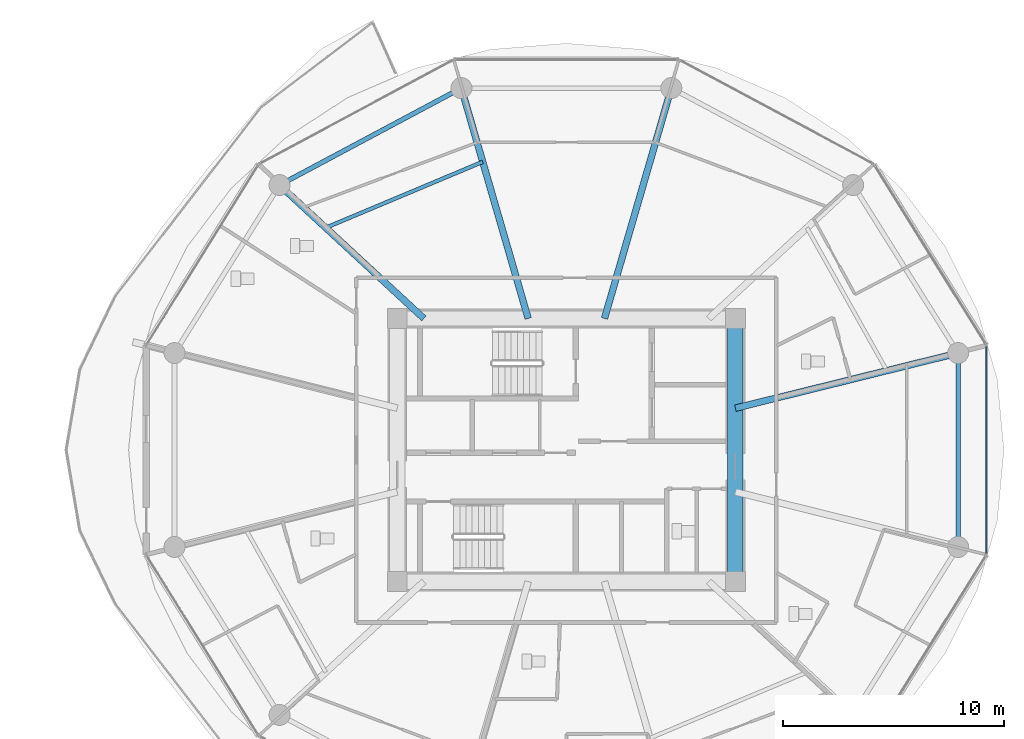
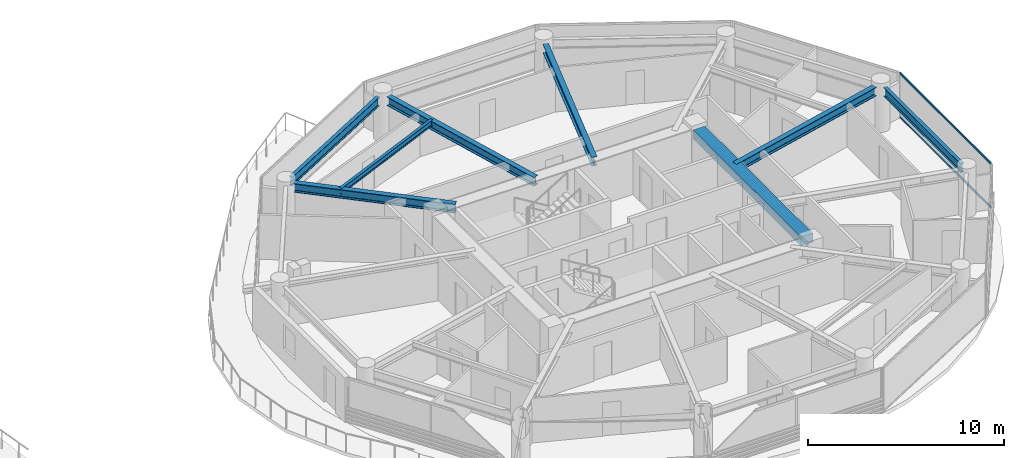
# One storey, part 12 of 26: 8 beams, 2 members, 1 element without a shape of its own.
"""IFC4 building model written with IfcOpenShell, lengths in metres."""

from ifc_helpers import new_model, si_unit, direction, frame, origin, origin_2d, place, context, subcontext, project, spatial, rectangle, i_section, extrude, source, transform, mapped, material, layer, layer_set, material_profile, profile_set, type_object, type_shapes, element, aggregate, save


model = new_model("IFC4")

# Units and contexts
model_context = context("Model", 3, precision=1e-05, world=origin(), true_north=direction((0.0, 1.0)))
body_context = subcontext(model_context, "Body", "Model", "MODEL_VIEW")
ifc_project = project(units=[si_unit("LENGTHUNIT", "METRE"), si_unit("AREAUNIT", "SQUARE_METRE"), si_unit("VOLUMEUNIT", "CUBIC_METRE"), si_unit("PLANEANGLEUNIT", "RADIAN"), si_unit("MASSUNIT", "GRAM", prefix="KILO")], contexts=[model_context])

# Site, building, storey
site_placement = place(None, origin())
site = spatial("IfcSite", under=ifc_project, at=site_placement, CompositionType="ELEMENT")
building_placement = place(site_placement, origin())
building = spatial("IfcBuilding", under=site, at=building_placement, Name="Norrkilde Senior Care Towers", CompositionType="ELEMENT")
storey_placement = place(building_placement, frame((0.0, 0.0, 67.35009765625)))
storey = spatial("IfcBuildingStorey", under=building, at=storey_placement, Name="L20", CompositionType="ELEMENT", Elevation=67.35009765625)

# Beams
ifc_material_1 = material(Name="Concrete C60/75", Category="concrete")
ifc_material_profile_1 = material_profile(ifc_material_1, rectangle(XDim=0.699951171875, YDim=0.550048828125, at=origin_2d()), Name="RC BM 700x550")
ifc_profile_set_1 = profile_set([ifc_material_profile_1], Name="Concrete C60/75")
beam_type_1 = type_object("IfcBeamType", Name="Core Portal Coupling Beam 700x550", PredefinedType="USERDEFINED", material=ifc_profile_set_1)
shared_shape_1 = source(origin(), body_context, "Body", "SweptSolid", [
    extrude(rectangle(XDim=0.699951171875, YDim=0.550048828125, at=origin_2d()), origin(), (0.0, 0.0, 1.0), 11.0400390625),
])
type_shapes(beam_type_1, [shared_shape_1])
beam_1_placement = place(storey_placement, frame((35.64990234375, -5.52001953125, 2.514892578125), z_axis=(0.0, 1.0, 0.0), x_axis=(-1.0, 0.0, 0.0)))
element("IfcBeam", 1, at=beam_1_placement, inside=storey, type_object=beam_type_1, Name="L20 Core E E Coupling Girder", ObjectType="GIRDER", PredefinedType="USERDEFINED", context=body_context, shape_type="MappedRepresentation", body=[
    mapped(shared_shape_1, transform((0.0, 0.0, 0.0), x_axis=(1.0, 0.0, 0.0), y_axis=(0.0, 1.0, 0.0), z_axis=(0.0, 0.0, 1.0), scale=1.0)),
])
ifc_material_2 = material(Name="Steel S355", Category="steel")
ifc_material_profile_2 = material_profile(ifc_material_2, i_section(OverallWidth=0.300048828125, OverallDepth=0.550048828125, WebThickness=0.014892578125, FlangeThickness=0.029052734375, FilletRadius=0.027099609375, at=origin_2d()), Name="HEB 550")
ifc_profile_set_2 = profile_set([ifc_material_profile_2], Name="Steel S355")
beam_type_2 = type_object("IfcBeamType", Name="Radial Floor Beam Z1 HEB550", PredefinedType="BEAM", material=ifc_profile_set_2)
shared_shape_2 = source(origin(), body_context, "Body", "SweptSolid", [
    extrude(i_section(OverallWidth=0.300048828125, OverallDepth=0.550048828125, WebThickness=0.014892578125, FlangeThickness=0.029052734375, FilletRadius=0.027099609375, at=origin_2d()), origin(), (0.0, 0.0, 1.0), 9.94384765625),
])
beam_2_placement = place(storey_placement, frame((35.64990234375, 1.893310546875, 2.514892578125), z_axis=(0.970707425182, 0.240264634718, 0.0), x_axis=(-0.240264634718, 0.970707425182, 0.0)))
element("IfcBeam", 2, at=beam_2_placement, inside=storey, type_object=beam_type_2, Name="L20 Drum E Radial Floor Beam 01", PredefinedType="BEAM", context=body_context, shape_type="MappedRepresentation", body=[
    mapped(shared_shape_2, transform((0.0, 0.0, 0.0), x_axis=(1.0, 0.0, 0.0), y_axis=(0.0, 1.0, 0.0), z_axis=(0.0, 0.0, 1.0), scale=1.0)),
])
ifc_material_profile_3 = material_profile(ifc_material_2, i_section(OverallWidth=0.2099609375, OverallDepth=0.550048828125, WebThickness=0.010986328125, FlangeThickness=0.01708984375, FilletRadius=0.02392578125, at=origin_2d()), Name="IPE 550")
ifc_profile_set_3 = profile_set([ifc_material_profile_3], Name="Steel S355")
beam_type_3 = type_object("IfcBeamType", Name="Perimeter Ring Spandrel Z1 IPE550", PredefinedType="SPANDREL", material=ifc_profile_set_3)
shared_shape_3 = source(origin(), body_context, "Body", "SweptSolid", [
    extrude(i_section(OverallWidth=0.2099609375, OverallDepth=0.550048828125, WebThickness=0.010986328125, FlangeThickness=0.01708984375, FilletRadius=0.02392578125, at=origin_2d()), origin(), (0.0, 0.0, 1.0), 8.452880859375),
])
beam_3_placement = place(storey_placement, frame((22.866943359375, 16.167724609375, 2.514892578125), z_axis=(-0.882368931134, -0.470558252898, 0.0), x_axis=(0.470558252898, -0.882368931134, 0.0)))
element("IfcBeam", 3, at=beam_3_placement, inside=storey, type_object=beam_type_3, Name="L20 Drum E Perimeter Spandrel 04", PredefinedType="SPANDREL", context=body_context, shape_type="MappedRepresentation", body=[
    mapped(shared_shape_3, transform((0.0, 0.0, 0.0), x_axis=(1.0, 0.0, 0.0), y_axis=(0.0, 1.0, 0.0), z_axis=(0.0, 0.0, 1.0), scale=1.0)),
])
shared_shape_4 = source(origin(), body_context, "Body", "SweptSolid", [
    extrude(i_section(OverallWidth=0.300048828125, OverallDepth=0.550048828125, WebThickness=0.014892578125, FlangeThickness=0.029052734375, FilletRadius=0.027099609375, at=origin_2d()), origin(), (0.0, 0.0, 1.0), 8.459716796875),
])
beam_4_placement = place(storey_placement, frame((21.55859375, 5.949951171875, 2.514892578125), z_axis=(-0.734573269108, 0.678529374686, 0.0), x_axis=(-0.678529374686, -0.734573269108, 0.0)))
element("IfcBeam", 4, at=beam_4_placement, inside=storey, type_object=beam_type_2, Name="L20 Drum E Radial Floor Beam 05", PredefinedType="BEAM", context=body_context, shape_type="MappedRepresentation", body=[
    mapped(shared_shape_4, transform((0.0, 0.0, 0.0), x_axis=(1.0, 0.0, 0.0), y_axis=(0.0, 1.0, 0.0), z_axis=(0.0, 0.0, 1.0), scale=1.0)),
])
shared_shape_5 = source(origin(), body_context, "Body", "SweptSolid", [
    extrude(i_section(OverallWidth=0.300048828125, OverallDepth=0.550048828125, WebThickness=0.014892578125, FlangeThickness=0.029052734375, FilletRadius=0.027099609375, at=origin_2d()), origin(), (0.0, 0.0, 1.0), 10.4169921875),
])
type_shapes(beam_type_2, [shared_shape_2, shared_shape_4, shared_shape_5])
for number, where, z_axis, x_axis, name in (
    (5, (29.72607421875, 5.949951171875, 2.514892578125), (0.278591250785, 0.960409764104, 0.0), (-0.960409764104, 0.278591250785, 0.0), "L20 Drum E Radial Floor Beam 03"),
    (6, (26.27392578125, 5.949951171875, 2.514892578125), (-0.278591250785, 0.960409764104, 0.0), (-0.960409764104, -0.278591250785, 0.0), "L20 Drum E Radial Floor Beam 04"),
):
    element("IfcBeam", number, at=place(storey_placement, frame(where, z_axis=z_axis, x_axis=x_axis)), inside=storey, type_object=beam_type_2, Name=name, PredefinedType="BEAM", context=body_context, shape_type="MappedRepresentation", body=[
        mapped(shared_shape_5, transform((0.0, 0.0, 0.0), x_axis=(1.0, 0.0, 0.0), y_axis=(0.0, 1.0, 0.0), z_axis=(0.0, 0.0, 1.0), scale=1.0)),
    ])
shared_shape_6 = source(origin(), body_context, "Body", "SweptSolid", [
    extrude(i_section(OverallWidth=0.2099609375, OverallDepth=0.550048828125, WebThickness=0.010986328125, FlangeThickness=0.01708984375, FilletRadius=0.02392578125, at=origin_2d()), origin(), (0.0, 0.0, 1.0), 7.90380859375),
])
type_shapes(beam_type_3, [shared_shape_3, shared_shape_6])
beam_5_placement = place(storey_placement, frame((45.724853515625, -3.951904296875, 2.514892578125), z_axis=(0.0, 1.0, 0.0), x_axis=(-1.0, 0.0, 0.0)))
element("IfcBeam", 7, at=beam_5_placement, inside=storey, type_object=beam_type_3, Name="L20 Drum E Perimeter Spandrel 12", PredefinedType="SPANDREL", context=body_context, shape_type="MappedRepresentation", body=[
    mapped(shared_shape_6, transform((0.0, 0.0, 0.0), x_axis=(1.0, 0.0, 0.0), y_axis=(0.0, 1.0, 0.0), z_axis=(0.0, 0.0, 1.0), scale=1.0)),
])
ifc_material_profile_4 = material_profile(ifc_material_2, i_section(OverallWidth=0.169921875, OverallDepth=0.360107421875, WebThickness=0.008056640625, FlangeThickness=0.0126953125, FilletRadius=0.01806640625, at=origin_2d()), Name="IPE 360")
ifc_profile_set_4 = profile_set([ifc_material_profile_4], Name="Steel S355")
beam_type_4 = type_object("IfcBeamType", Name="Secondary Floor Joist IPE360", PredefinedType="JOIST", material=ifc_profile_set_4)
shared_shape_7 = source(origin(), body_context, "Body", "SweptSolid", [
    extrude(i_section(OverallWidth=0.169921875, OverallDepth=0.360107421875, WebThickness=0.008056640625, FlangeThickness=0.0126953125, FilletRadius=0.01806640625, at=origin_2d()), origin(), (0.0, 0.0, 1.0), 7.703857421875),
])
type_shapes(beam_type_4, [shared_shape_7])
beam_6_placement = place(storey_placement, frame((24.21826171875, 13.037353515625, 2.60986328125), z_axis=(-0.921982784465, -0.387230868023, 0.0), x_axis=(0.387230868023, -0.921982784465, 0.0)))
element("IfcBeam", 8, at=beam_6_placement, inside=storey, type_object=beam_type_4, Name="L20 Drum E Secondary Floor Joist 2", PredefinedType="JOIST", context=body_context, shape_type="MappedRepresentation", body=[
    mapped(shared_shape_7, transform((0.0, 0.0, 0.0), x_axis=(1.0, 0.0, 0.0), y_axis=(0.0, 1.0, 0.0), z_axis=(0.0, 0.0, 1.0), scale=1.0)),
])

# Curtain wall, members
ifc_material_3 = material(Name="Triple Low-E Insulated Glazing", Category="glass")
ifc_layer = layer(ifc_material_3, 0.199951171875)
ifc_layer_set = layer_set([ifc_layer], Name="Triple Low-E Insulated Glazing")
curtain_wall_type = type_object("IfcCurtainWallType", Name="CW2 Zone 1 Memory Care Curtain Wall", PredefinedType="NOTDEFINED", material=ifc_layer_set)
curtain_wall_placement = place(storey_placement, origin())
curtain_wall = element("IfcCurtainWall", 9, at=curtain_wall_placement, inside=storey, type_object=curtain_wall_type, Name="L20 Drum E Curtain Wall 11", PredefinedType="NOTDEFINED")
ifc_material_4 = material(Name="Anodised Aluminium", Category="aluminium")
ifc_material_profile_5 = material_profile(ifc_material_4, rectangle(XDim=0.06005859375, YDim=0.1201171875, at=origin_2d()), Name="ALU TRAN 60x120")
ifc_profile_set_5 = profile_set([ifc_material_profile_5], Name="Anodised Aluminium")
member_type = type_object("IfcMemberType", Name="Curtain Wall Transom Typical 60x120", PredefinedType="USERDEFINED", material=ifc_profile_set_5)
shared_shape_8 = source(origin(), body_context, "Body", "SweptSolid", [
    extrude(rectangle(XDim=0.06005859375, YDim=0.1201171875, at=origin_2d()), origin(), (0.0, 0.0, 1.0), 9.33251953125),
])
type_shapes(member_type, [shared_shape_8])
member_1_placement = place(storey_placement, frame((47.009521484375, 4.666259765625, 0.02978515625), z_axis=(0.0, -1.0, 0.0), x_axis=(1.0, 0.0, 0.0)))
member_1 = element("IfcMember", 10, at=member_1_placement, type_object=member_type, Name="CW-2 transom 1.1", ObjectType="TRANSOM", PredefinedType="USERDEFINED", context=body_context, shape_type="MappedRepresentation", body=[
    mapped(shared_shape_8, transform((0.0, 0.0, 0.0), x_axis=(1.0, 0.0, 0.0), y_axis=(0.0, 1.0, 0.0), z_axis=(0.0, 0.0, 1.0), scale=1.0)),
])
member_2_placement = place(storey_placement, frame((47.009521484375, 4.666259765625, 2.760009765625), z_axis=(0.0, -1.0, 0.0), x_axis=(1.0, 0.0, 0.0)))
member_2 = element("IfcMember", 11, at=member_2_placement, type_object=member_type, Name="CW-2 transom 1.2", ObjectType="TRANSOM", PredefinedType="USERDEFINED", context=body_context, shape_type="MappedRepresentation", body=[
    mapped(shared_shape_8, transform((0.0, 0.0, 0.0), x_axis=(1.0, 0.0, 0.0), y_axis=(0.0, 1.0, 0.0), z_axis=(0.0, 0.0, 1.0), scale=1.0)),
])
aggregate(curtain_wall, [member_1, member_2])

save(model, "model.ifc")
